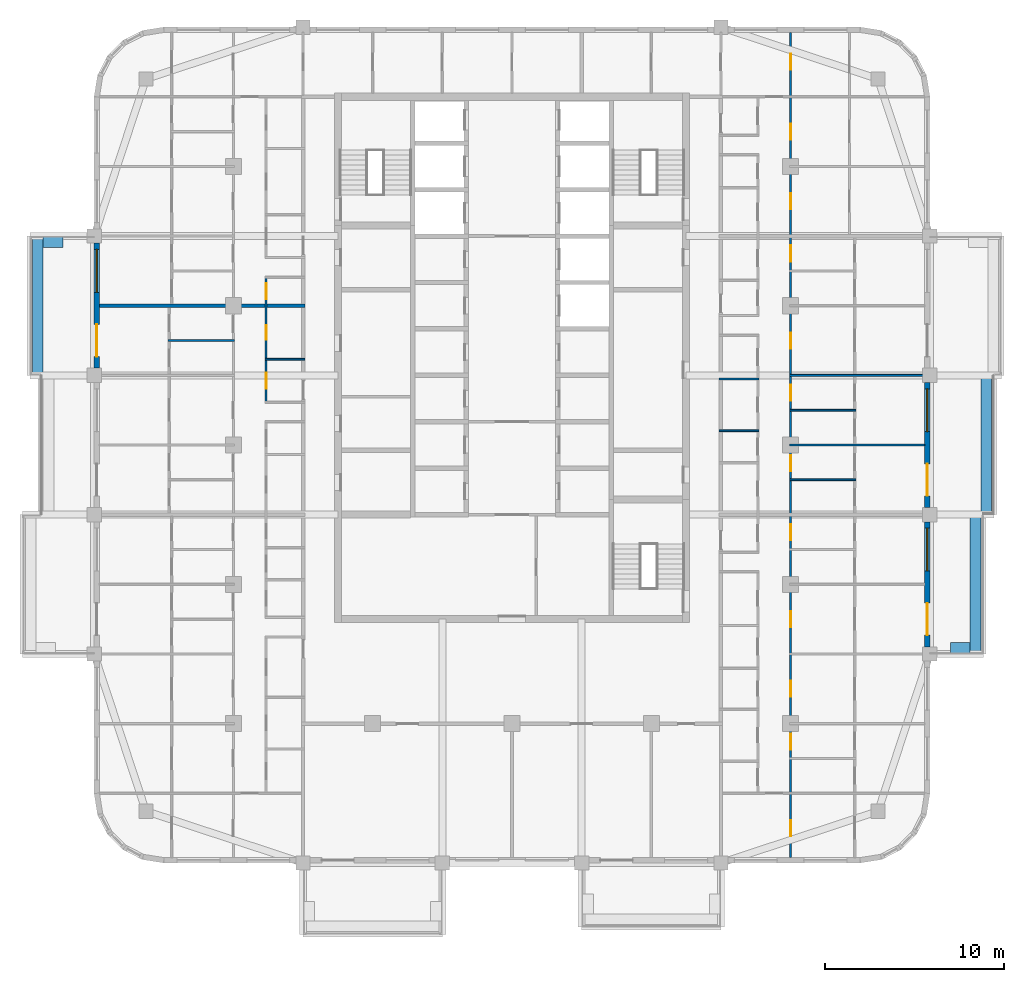
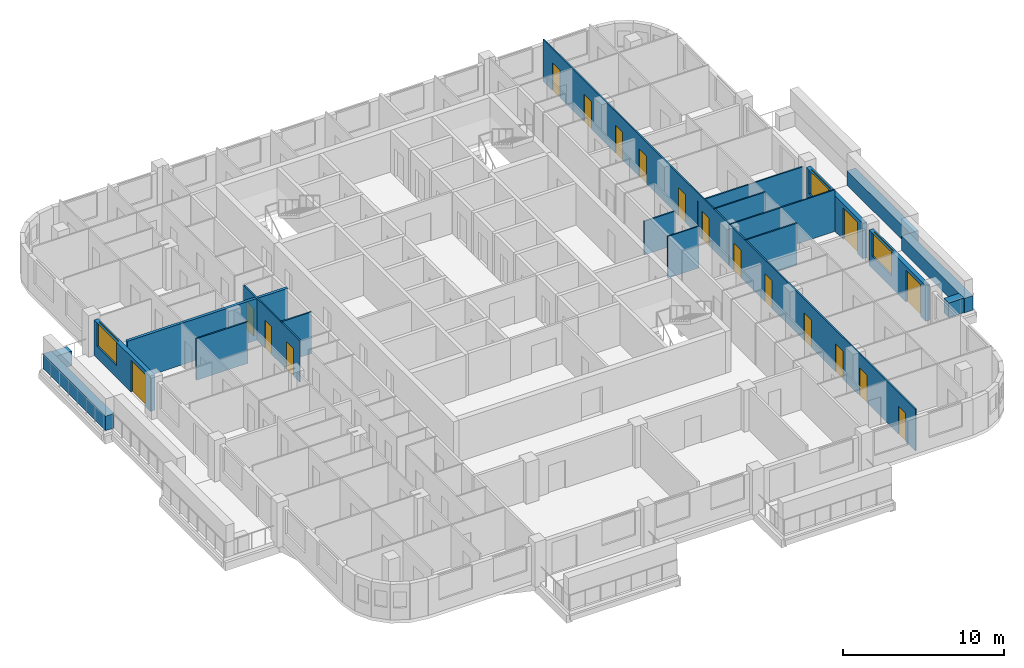
# One storey, part 8 of 16: 19 walls, 18 doors, 3 windows, 21 openings.
"""IFC4 building model written with IfcOpenShell, lengths in metres."""

from ifc_helpers import new_model, si_unit, direction, frame, frame_2d, origin, place, context, subcontext, project, spatial, rectangle, extrude, material, layer, layer_set, type_object, element, fill, save


model = new_model("IFC4")

# Units and contexts
model_context = context("Model", 3, precision=1e-05, world=origin(), true_north=direction((0.0, 1.0)))
body_context = subcontext(model_context, "Body", "Model", "MODEL_VIEW")
ifc_project = project(units=[si_unit("LENGTHUNIT", "METRE"), si_unit("AREAUNIT", "SQUARE_METRE"), si_unit("VOLUMEUNIT", "CUBIC_METRE"), si_unit("PLANEANGLEUNIT", "RADIAN"), si_unit("MASSUNIT", "GRAM", prefix="KILO")], contexts=[model_context])

# Site, building, storey
site_placement = place(None, origin())
site = spatial("IfcSite", under=ifc_project, at=site_placement, CompositionType="ELEMENT")
building_placement = place(site_placement, origin())
building = spatial("IfcBuilding", under=site, at=building_placement, Name="Ludao Terraces", CompositionType="ELEMENT")
storey_placement = place(building_placement, frame((0.0, 0.0, 224.5)))
storey = spatial("IfcBuildingStorey", under=building, at=storey_placement, Name="L61", CompositionType="ELEMENT", Elevation=224.5)

# Walls
ifc_material_1 = material(Name="Concrete C40", Category="concrete")
ifc_layer_1 = layer(ifc_material_1, 0.60009765625)
ifc_layer_set_1 = layer_set([ifc_layer_1], Name="ENV Planter trough 600")
wall_type_1 = type_object("IfcWallType", Name="ENV Planter trough 600", PredefinedType="USERDEFINED", material=ifc_layer_set_1)
wall_1_placement = place(storey_placement, frame((110.949951171875, 53.300048828125, 0.0), z_axis=(0.0, 0.0, 1.0), x_axis=(0.0, 1.0, 0.0)))
element("IfcWall", 1, at=wall_1_placement, inside=storey, type_object=wall_type_1, Name="PL-L61-E1", ObjectType="PLANTER", PredefinedType="USERDEFINED", context=body_context, shape_type="SweptSolid", body=[
    extrude(rectangle(XDim=7.800048828125, YDim=0.60009765625, at=frame_2d((3.89990234375, 0.0))), origin(), (0.0, 0.0, 1.0), 1.10009765625),
])
wall_2_placement = place(storey_placement, frame((110.64990234375, 53.64990234375, 0.0), z_axis=(0.0, 0.0, 1.0), x_axis=(-1.0, 0.0, 0.0)))
element("IfcWall", 2, at=wall_2_placement, inside=storey, type_object=wall_type_1, Name="PL-L61-E1-SA", ObjectType="PLANTER", PredefinedType="USERDEFINED", context=body_context, shape_type="SweptSolid", body=[
    extrude(rectangle(XDim=1.099853515625, YDim=0.60009765625, at=frame_2d((0.5498046875, 0.0))), origin(), (0.0, 0.0, 1.0), 1.10009765625),
])
wall_3_placement = place(storey_placement, frame((111.550048828125, 61.10009765625, 0.0), z_axis=(0.0, 0.0, 1.0), x_axis=(0.0, 1.0, 0.0)))
element("IfcWall", 3, at=wall_3_placement, inside=storey, type_object=wall_type_1, Name="PL-L61-E2", ObjectType="PLANTER", PredefinedType="USERDEFINED", context=body_context, shape_type="SweptSolid", body=[
    extrude(rectangle(XDim=7.7998046875, YDim=0.60009765625, at=frame_2d((3.89990234375, 0.0))), origin(), (0.0, 0.0, 1.0), 1.10009765625),
])
wall_4_placement = place(storey_placement, frame((58.449951171875, 68.89990234375, 0.0), z_axis=(0.0, 0.0, 1.0), x_axis=(0.0, 1.0, 0.0)))
element("IfcWall", 4, at=wall_4_placement, inside=storey, type_object=wall_type_1, Name="PL-L61-W3", ObjectType="PLANTER", PredefinedType="USERDEFINED", context=body_context, shape_type="SweptSolid", body=[
    extrude(rectangle(XDim=7.800048828125, YDim=0.60009765625, at=frame_2d((3.89990234375, 0.0))), origin(), (0.0, 0.0, 1.0), 1.10009765625),
])
wall_5_placement = place(storey_placement, frame((58.75, 76.35009765625, 0.0), z_axis=(0.0, 0.0, 1.0), x_axis=(1.0, 0.0, 0.0)))
element("IfcWall", 5, at=wall_5_placement, inside=storey, type_object=wall_type_1, Name="PL-L61-W3-SB", ObjectType="PLANTER", PredefinedType="USERDEFINED", context=body_context, shape_type="SweptSolid", body=[
    extrude(rectangle(XDim=1.10009765625, YDim=0.60009765625, at=frame_2d((0.550048828125, 0.0))), origin(), (0.0, 0.0, 1.0), 1.10009765625),
])

# Wall, openings, door, window
ifc_material_2 = material(Name="Granite cladding", Category="masonry")
ifc_layer_2 = layer(ifc_material_2, 0.0400390625, Category="stone")
ifc_material_3 = material(Name="Mineral wool")
ifc_layer_3 = layer(ifc_material_3, 0.06005859375)
ifc_layer_4 = layer(ifc_material_1, 0.199951171875, Category="concrete")
ifc_layer_set_2 = layer_set([ifc_layer_2, ifc_layer_3, ifc_layer_4], Name="ENV Stone-clad wall 300")
wall_type_2 = type_object("IfcWallType", Name="ENV Stone-clad wall 300", PredefinedType="SOLIDWALL", material=ifc_layer_set_2)
wall_6_placement = place(storey_placement, frame((108.25, 53.699951171875, 0.0), z_axis=(0.0, 0.0, 1.0), x_axis=(0.0, 1.0, 0.0)))
wall_6 = element("IfcWall", 6, at=wall_6_placement, inside=storey, type_object=wall_type_2, Name="EW-L61-E2", PredefinedType="SOLIDWALL", context=body_context, shape_type="SweptSolid", body=[
    extrude(rectangle(XDim=7.0, YDim=0.300048828125, at=frame_2d((3.5, 0.0))), origin(), (0.0, 0.0, 1.0), 2.699951171875),
])
opening_1_placement = place(wall_6_placement, frame((0.64990234375, 0.0, 0.0)))
opening_1 = element("IfcOpeningElement", 7, at=opening_1_placement, cuts=wall_6, Name="Opening BD", PredefinedType="OPENING", context=body_context, shape_type="SweptSolid", body=[
    extrude(rectangle(XDim=1.800048828125, YDim=2.39990234375, at=frame_2d((0.89990234375, 1.199951171875))), frame((0.0, 0.16015625, 0.0), z_axis=(0.0, -1.0, 0.0), x_axis=(1.0, 0.0, 0.0)), (0.0, 0.0, 1.0), 0.320068359375),
])
opening_2_placement = place(wall_6_placement, frame((4.25, 0.0, 0.89990234375)))
opening_2 = element("IfcOpeningElement", 8, at=opening_2_placement, cuts=wall_6, Name="Opening W1", PredefinedType="OPENING", context=body_context, shape_type="SweptSolid", body=[
    extrude(rectangle(XDim=2.39990234375, YDim=1.800048828125, at=frame_2d((1.199951171875, 0.89990234375))), frame((0.0, 0.16015625, 0.0), z_axis=(0.0, -1.0, 0.0), x_axis=(1.0, 0.0, 0.0)), (0.0, 0.0, 1.0), 0.320068359375),
])
ifc_material_4 = material(Name="Aluminium glazed door", Category="aluminium")
ifc_layer_5 = layer(ifc_material_4, 0.06005859375)
ifc_layer_set_3 = layer_set([ifc_layer_5], Name="ENV Balcony door BD 1800x2400")
door_type_1 = type_object("IfcDoorType", Name="ENV Balcony door BD 1800x2400", OperationType="DOUBLE_DOOR_SINGLE_SWING", PredefinedType="DOOR", material=ifc_layer_set_3)
door_1_placement = place(opening_1_placement, origin())
door_1 = element("IfcDoor", 9, at=door_1_placement, inside=storey, type_object=door_type_1, Name="BD-L61-E2-1", OperationType="DOUBLE_DOOR_SINGLE_SWING", OverallHeight=2.39990234375, OverallWidth=1.800048828125, PredefinedType="DOOR", context=body_context, shape_type="SweptSolid", body=[
    extrude(rectangle(XDim=1.800048828125, YDim=2.39990234375, at=frame_2d((0.89990234375, 1.199951171875))), frame((0.0, 0.02490234375, 0.0), z_axis=(0.0, -1.0, 0.0), x_axis=(1.0, 0.0, 0.0)), (0.0, 0.0, 1.0), 0.050048828125),
])
fill(opening_1, door_1)
ifc_material_5 = material(Name="Clear glass in aluminium frame", Category="aluminium")
ifc_layer_6 = layer(ifc_material_5, 0.06005859375)
ifc_layer_set_4 = layer_set([ifc_layer_6], Name="ENV Window W1 2400x1800")
window_type = type_object("IfcWindowType", Name="ENV Window W1 2400x1800", PartitioningType="DOUBLE_PANEL_VERTICAL", PredefinedType="WINDOW", material=ifc_layer_set_4)
window_1_placement = place(opening_2_placement, origin())
window_1 = element("IfcWindow", 10, at=window_1_placement, inside=storey, type_object=window_type, Name="W-L61-E2-2", OverallHeight=1.800048828125, OverallWidth=2.39990234375, PartitioningType="DOUBLE_PANEL_VERTICAL", PredefinedType="WINDOW", context=body_context, shape_type="SweptSolid", body=[
    extrude(rectangle(XDim=2.39990234375, YDim=1.800048828125, at=frame_2d((1.199951171875, 0.89990234375))), frame((0.0, 0.030029296875, 0.0), z_axis=(0.0, -1.0, 0.0), x_axis=(1.0, 0.0, 0.0)), (0.0, 0.0, 1.0), 0.06005859375),
])
fill(opening_2, window_1)

wall_7_placement = place(storey_placement, frame((108.25, 61.5, 0.0), z_axis=(0.0, 0.0, 1.0), x_axis=(0.0, 1.0, 0.0)))
wall_7 = element("IfcWall", 11, at=wall_7_placement, inside=storey, type_object=wall_type_2, Name="EW-L61-E3", PredefinedType="SOLIDWALL", context=body_context, shape_type="SweptSolid", body=[
    extrude(rectangle(XDim=7.0, YDim=0.300048828125, at=frame_2d((3.5, 0.0))), origin(), (0.0, 0.0, 1.0), 2.699951171875),
])
opening_3_placement = place(wall_7_placement, frame((0.64990234375, 0.0, 0.0)))
opening_3 = element("IfcOpeningElement", 12, at=opening_3_placement, cuts=wall_7, Name="Opening BD", PredefinedType="OPENING", context=body_context, shape_type="SweptSolid", body=[
    extrude(rectangle(XDim=1.800048828125, YDim=2.39990234375, at=frame_2d((0.89990234375, 1.199951171875))), frame((0.0, 0.16015625, 0.0), z_axis=(0.0, -1.0, 0.0), x_axis=(1.0, 0.0, 0.0)), (0.0, 0.0, 1.0), 0.320068359375),
])
opening_4_placement = place(wall_7_placement, frame((4.25, 0.0, 0.89990234375)))
opening_4 = element("IfcOpeningElement", 13, at=opening_4_placement, cuts=wall_7, Name="Opening W1", PredefinedType="OPENING", context=body_context, shape_type="SweptSolid", body=[
    extrude(rectangle(XDim=2.39990234375, YDim=1.800048828125, at=frame_2d((1.199951171875, 0.89990234375))), frame((0.0, 0.16015625, 0.0), z_axis=(0.0, -1.0, 0.0), x_axis=(1.0, 0.0, 0.0)), (0.0, 0.0, 1.0), 0.320068359375),
])
door_2_placement = place(opening_3_placement, origin())
door_2 = element("IfcDoor", 14, at=door_2_placement, inside=storey, type_object=door_type_1, Name="BD-L61-E3-1", OperationType="DOUBLE_DOOR_SINGLE_SWING", OverallHeight=2.39990234375, OverallWidth=1.800048828125, PredefinedType="DOOR", context=body_context, shape_type="SweptSolid", body=[
    extrude(rectangle(XDim=1.800048828125, YDim=2.39990234375, at=frame_2d((0.89990234375, 1.199951171875))), frame((0.0, 0.02490234375, 0.0), z_axis=(0.0, -1.0, 0.0), x_axis=(1.0, 0.0, 0.0)), (0.0, 0.0, 1.0), 0.050048828125),
])
fill(opening_3, door_2)
window_2_placement = place(opening_4_placement, origin())
window_2 = element("IfcWindow", 15, at=window_2_placement, inside=storey, type_object=window_type, Name="W-L61-E3-2", OverallHeight=1.800048828125, OverallWidth=2.39990234375, PartitioningType="DOUBLE_PANEL_VERTICAL", PredefinedType="WINDOW", context=body_context, shape_type="SweptSolid", body=[
    extrude(rectangle(XDim=2.39990234375, YDim=1.800048828125, at=frame_2d((1.199951171875, 0.89990234375))), frame((0.0, 0.030029296875, 0.0), z_axis=(0.0, -1.0, 0.0), x_axis=(1.0, 0.0, 0.0)), (0.0, 0.0, 1.0), 0.06005859375),
])
fill(opening_4, window_2)

wall_8_placement = place(storey_placement, frame((61.75, 69.300048828125, 0.0), z_axis=(0.0, 0.0, 1.0), x_axis=(0.0, 1.0, 0.0)))
wall_8 = element("IfcWall", 16, at=wall_8_placement, inside=storey, type_object=wall_type_2, Name="EW-L61-W4", PredefinedType="SOLIDWALL", context=body_context, shape_type="SweptSolid", body=[
    extrude(rectangle(XDim=7.0, YDim=0.300048828125, at=frame_2d((3.5, 0.0))), origin(), (0.0, 0.0, 1.0), 2.699951171875),
])
opening_5_placement = place(wall_8_placement, frame((0.64990234375, 0.0, 0.0)))
opening_5 = element("IfcOpeningElement", 17, at=opening_5_placement, cuts=wall_8, Name="Opening BD", PredefinedType="OPENING", context=body_context, shape_type="SweptSolid", body=[
    extrude(rectangle(XDim=1.800048828125, YDim=2.39990234375, at=frame_2d((0.89990234375, 1.199951171875))), frame((0.0, 0.16015625, 0.0), z_axis=(0.0, -1.0, 0.0), x_axis=(1.0, 0.0, 0.0)), (0.0, 0.0, 1.0), 0.320068359375),
])
opening_6_placement = place(wall_8_placement, frame((4.25, 0.0, 0.89990234375)))
opening_6 = element("IfcOpeningElement", 18, at=opening_6_placement, cuts=wall_8, Name="Opening W1", PredefinedType="OPENING", context=body_context, shape_type="SweptSolid", body=[
    extrude(rectangle(XDim=2.39990234375, YDim=1.800048828125, at=frame_2d((1.199951171875, 0.89990234375))), frame((0.0, 0.16015625, 0.0), z_axis=(0.0, -1.0, 0.0), x_axis=(1.0, 0.0, 0.0)), (0.0, 0.0, 1.0), 0.320068359375),
])
door_3_placement = place(opening_5_placement, origin())
door_3 = element("IfcDoor", 19, at=door_3_placement, inside=storey, type_object=door_type_1, Name="BD-L61-W4-1", OperationType="DOUBLE_DOOR_SINGLE_SWING", OverallHeight=2.39990234375, OverallWidth=1.800048828125, PredefinedType="DOOR", context=body_context, shape_type="SweptSolid", body=[
    extrude(rectangle(XDim=1.800048828125, YDim=2.39990234375, at=frame_2d((0.89990234375, 1.199951171875))), frame((0.0, 0.02490234375, 0.0), z_axis=(0.0, -1.0, 0.0), x_axis=(1.0, 0.0, 0.0)), (0.0, 0.0, 1.0), 0.050048828125),
])
fill(opening_5, door_3)
window_3_placement = place(opening_6_placement, origin())
window_3 = element("IfcWindow", 20, at=window_3_placement, inside=storey, type_object=window_type, Name="W-L61-W4-2", OverallHeight=1.800048828125, OverallWidth=2.39990234375, PartitioningType="DOUBLE_PANEL_VERTICAL", PredefinedType="WINDOW", context=body_context, shape_type="SweptSolid", body=[
    extrude(rectangle(XDim=2.39990234375, YDim=1.800048828125, at=frame_2d((1.199951171875, 0.89990234375))), frame((0.0, 0.030029296875, 0.0), z_axis=(0.0, -1.0, 0.0), x_axis=(1.0, 0.0, 0.0)), (0.0, 0.0, 1.0), 0.06005859375),
])
fill(opening_6, window_3)

# Walls
ifc_material_6 = material(Name="Gypsum plasterboard", Category="gypsum")
ifc_layer_7 = layer(ifc_material_6, 0.012451171875, Category="gypsum")
ifc_layer_8 = layer(ifc_material_3, 0.06005859375, Name="insulation")
ifc_material_7 = material(Name="Steel Q235", Category="steel")
ifc_layer_9 = layer(ifc_material_7, 0.014892578125, Name="stud")
ifc_layer_10 = layer(ifc_material_6, 0.012451171875, Category="gypsum")
ifc_layer_set_5 = layer_set([ifc_layer_7, ifc_layer_8, ifc_layer_9, ifc_layer_10], Name="INT Partition 100")
wall_type_3 = type_object("IfcWallType", Name="INT Partition 100", PredefinedType="PARTITIONING", material=ifc_layer_set_5)
wall_9_placement = place(storey_placement, frame((100.550048828125, 63.050048828125, 0.0), z_axis=(0.0, 0.0, 1.0), x_axis=(1.0, 0.0, 0.0)))
element("IfcWall", 21, at=wall_9_placement, inside=storey, type_object=wall_type_3, Name="PW-L61-PW029", PredefinedType="PARTITIONING", context=body_context, shape_type="SweptSolid", body=[
    extrude(rectangle(XDim=3.699951171875, YDim=0.10009765625, at=frame_2d((1.85009765625, 0.0))), origin(), (0.0, 0.0, 1.0), 3.14990234375),
])
wall_10_placement = place(storey_placement, frame((100.550048828125, 65.0, 0.0), z_axis=(0.0, 0.0, 1.0), x_axis=(1.0, 0.0, 0.0)))
element("IfcWall", 22, at=wall_10_placement, inside=storey, type_object=wall_type_3, Name="PW-L61-PW033", PredefinedType="PARTITIONING", context=body_context, shape_type="SweptSolid", body=[
    extrude(rectangle(XDim=7.550048828125, YDim=0.10009765625, at=frame_2d((3.77490234375, 0.0))), origin(), (0.0, 0.0, 1.0), 3.14990234375),
])
wall_11_placement = place(storey_placement, frame((96.60009765625, 65.800048828125, 0.0), z_axis=(0.0, 0.0, 1.0), x_axis=(1.0, 0.0, 0.0)))
element("IfcWall", 23, at=wall_11_placement, inside=storey, type_object=wall_type_3, Name="PW-L61-PW034", PredefinedType="PARTITIONING", context=body_context, shape_type="SweptSolid", body=[
    extrude(rectangle(XDim=2.219970703125, YDim=0.10009765625, at=frame_2d((1.10986328125, 0.0))), origin(), (0.0, 0.0, 1.0), 3.14990234375),
])
wall_12_placement = place(storey_placement, frame((100.550048828125, 66.949951171875, 0.0), z_axis=(0.0, 0.0, 1.0), x_axis=(1.0, 0.0, 0.0)))
element("IfcWall", 24, at=wall_12_placement, inside=storey, type_object=wall_type_3, Name="PW-L61-PW037", PredefinedType="PARTITIONING", context=body_context, shape_type="SweptSolid", body=[
    extrude(rectangle(XDim=3.699951171875, YDim=0.10009765625, at=frame_2d((1.85009765625, 0.0))), origin(), (0.0, 0.0, 1.0), 3.14990234375),
])
wall_13_placement = place(storey_placement, frame((96.60009765625, 68.699951171875, 0.0), z_axis=(0.0, 0.0, 1.0), x_axis=(1.0, 0.0, 0.0)))
element("IfcWall", 25, at=wall_13_placement, inside=storey, type_object=wall_type_3, Name="PW-L61-PW040", PredefinedType="PARTITIONING", context=body_context, shape_type="SweptSolid", body=[
    extrude(rectangle(XDim=2.219970703125, YDim=0.10009765625, at=frame_2d((1.10986328125, 0.0))), origin(), (0.0, 0.0, 1.0), 2.550048828125),
])
wall_14_placement = place(storey_placement, frame((100.550048828125, 68.89990234375, 0.0), z_axis=(0.0, 0.0, 1.0), x_axis=(1.0, 0.0, 0.0)))
element("IfcWall", 26, at=wall_14_placement, inside=storey, type_object=wall_type_3, Name="PW-L61-PW042", PredefinedType="PARTITIONING", context=body_context, shape_type="SweptSolid", body=[
    extrude(rectangle(XDim=7.550048828125, YDim=0.10009765625, at=frame_2d((3.77490234375, 0.0))), origin(), (0.0, 0.0, 1.0), 2.550048828125),
])
wall_15_placement = place(storey_placement, frame((71.18017578125, 69.800048828125, 0.0), z_axis=(0.0, 0.0, 1.0), x_axis=(1.0, 0.0, 0.0)))
element("IfcWall", 27, at=wall_15_placement, inside=storey, type_object=wall_type_3, Name="PW-L61-PW043", PredefinedType="PARTITIONING", context=body_context, shape_type="SweptSolid", body=[
    extrude(rectangle(XDim=2.219970703125, YDim=0.10009765625, at=frame_2d((1.10986328125, 0.0))), origin(), (0.0, 0.0, 1.0), 3.14990234375),
])
wall_16_placement = place(storey_placement, frame((65.75, 70.85009765625, 0.0), z_axis=(0.0, 0.0, 1.0), x_axis=(1.0, 0.0, 0.0)))
element("IfcWall", 28, at=wall_16_placement, inside=storey, type_object=wall_type_3, Name="PW-L61-PW044", PredefinedType="PARTITIONING", context=body_context, shape_type="SweptSolid", body=[
    extrude(rectangle(XDim=3.7001953125, YDim=0.10009765625, at=frame_2d((1.85009765625, 0.0))), origin(), (0.0, 0.0, 1.0), 3.14990234375),
])

# Wall, openings, doors
wall_17_placement = place(storey_placement, frame((71.22998046875, 67.4501953125, 0.0), z_axis=(0.0, 0.0, 1.0), x_axis=(0.0, 1.0, 0.0)))
wall_17 = element("IfcWall", 29, at=wall_17_placement, inside=storey, type_object=wall_type_3, Name="PW-L61-PW075", PredefinedType="PARTITIONING", context=body_context, shape_type="SweptSolid", body=[
    extrude(rectangle(XDim=6.89990234375, YDim=0.10009765625, at=frame_2d((3.449951171875, 0.0))), origin(), (0.0, 0.0, 1.0), 3.14990234375),
])
opening_7_placement = place(wall_17_placement, frame((0.699951171875, 0.0, 0.0)))
opening_7 = element("IfcOpeningElement", 30, at=opening_7_placement, cuts=wall_17, Name="Opening R22-075", PredefinedType="OPENING", context=body_context, shape_type="SweptSolid", body=[
    extrude(rectangle(XDim=0.89990234375, YDim=2.10009765625, at=frame_2d((0.449951171875, 1.050048828125))), frame((0.0, 0.06005859375, 0.0), z_axis=(0.0, -1.0, 0.0), x_axis=(1.0, 0.0, 0.0)), (0.0, 0.0, 1.0), 0.1201171875),
])
opening_8_placement = place(wall_17_placement, frame((3.449951171875, 0.0, 0.0)))
opening_8 = element("IfcOpeningElement", 31, at=opening_8_placement, cuts=wall_17, Name="Opening R22-084", PredefinedType="OPENING", context=body_context, shape_type="SweptSolid", body=[
    extrude(rectangle(XDim=0.800048828125, YDim=2.10009765625, at=frame_2d((0.39990234375, 1.050048828125))), frame((0.0, 0.06005859375, 0.0), z_axis=(0.0, -1.0, 0.0), x_axis=(1.0, 0.0, 0.0)), (0.0, 0.0, 1.0), 0.1201171875),
])
opening_9_placement = place(wall_17_placement, frame((5.699951171875, 0.0, 0.0)))
opening_9 = element("IfcOpeningElement", 32, at=opening_9_placement, cuts=wall_17, Name="Opening R22-091", PredefinedType="OPENING", context=body_context, shape_type="SweptSolid", body=[
    extrude(rectangle(XDim=0.89990234375, YDim=2.10009765625, at=frame_2d((0.449951171875, 1.050048828125))), frame((0.0, 0.06005859375, 0.0), z_axis=(0.0, -1.0, 0.0), x_axis=(1.0, 0.0, 0.0)), (0.0, 0.0, 1.0), 0.1201171875),
])
ifc_material_8 = material(Name="Timber door leaf", Category="wood")
door_type_2 = type_object("IfcDoorType", Name="INT Bathroom door 900", OperationType="SINGLE_SWING_LEFT", PredefinedType="DOOR", material=ifc_material_8)
door_4_placement = place(opening_7_placement, origin())
door_4 = element("IfcDoor", 33, at=door_4_placement, inside=storey, type_object=door_type_2, Name="DOOR 075", OperationType="SINGLE_SWING_LEFT", OverallHeight=2.10009765625, OverallWidth=0.89990234375, PredefinedType="DOOR", context=body_context, shape_type="SweptSolid", body=[
    extrude(rectangle(XDim=0.89990234375, YDim=2.10009765625, at=frame_2d((0.449951171875, 1.050048828125))), frame((0.0, 0.02490234375, 0.0), z_axis=(0.0, -1.0, 0.0), x_axis=(1.0, 0.0, 0.0)), (0.0, 0.0, 1.0), 0.050048828125),
])
fill(opening_7, door_4)
door_5_placement = place(opening_9_placement, origin())
door_5 = element("IfcDoor", 34, at=door_5_placement, inside=storey, type_object=door_type_2, Name="DOOR 091", OperationType="SINGLE_SWING_RIGHT", OverallHeight=2.10009765625, OverallWidth=0.89990234375, PredefinedType="DOOR", context=body_context, shape_type="SweptSolid", body=[
    extrude(rectangle(XDim=0.89990234375, YDim=2.10009765625, at=frame_2d((0.449951171875, 1.050048828125))), frame((0.0, 0.02490234375, 0.0), z_axis=(0.0, -1.0, 0.0), x_axis=(1.0, 0.0, 0.0)), (0.0, 0.0, 1.0), 0.050048828125),
])
fill(opening_9, door_5)
door_type_3 = type_object("IfcDoorType", Name="INT Store door 800", OperationType="SINGLE_SWING_LEFT", PredefinedType="DOOR", material=ifc_material_8)
door_6_placement = place(opening_8_placement, origin())
door_6 = element("IfcDoor", 35, at=door_6_placement, inside=storey, type_object=door_type_3, Name="DOOR 084", OperationType="SINGLE_SWING_RIGHT", OverallHeight=2.10009765625, OverallWidth=0.800048828125, PredefinedType="DOOR", context=body_context, shape_type="SweptSolid", body=[
    extrude(rectangle(XDim=0.800048828125, YDim=2.10009765625, at=frame_2d((0.39990234375, 1.050048828125))), frame((0.0, 0.02490234375, 0.0), z_axis=(0.0, -1.0, 0.0), x_axis=(1.0, 0.0, 0.0)), (0.0, 0.0, 1.0), 0.050048828125),
])
fill(opening_8, door_6)

wall_18_placement = place(storey_placement, frame((100.60009765625, 41.900146484375, 0.0), z_axis=(0.0, 0.0, 1.0), x_axis=(0.0, 1.0, 0.0)))
wall_18 = element("IfcWall", 36, at=wall_18_placement, inside=storey, type_object=wall_type_3, Name="PW-L61-PW095", PredefinedType="PARTITIONING", context=body_context, shape_type="SweptSolid", body=[
    extrude(rectangle(XDim=46.199951171875, YDim=0.10009765625, at=frame_2d((23.10009765625, 0.0))), origin(), (0.0, 0.0, 1.0), 3.14990234375),
])
opening_10_placement = place(wall_18_placement, frame((1.199951171875, 0.0, 0.0)))
opening_10 = element("IfcOpeningElement", 37, at=opening_10_placement, cuts=wall_18, Name="Opening R22-003", PredefinedType="OPENING", context=body_context, shape_type="SweptSolid", body=[
    extrude(rectangle(XDim=0.89990234375, YDim=2.10009765625, at=frame_2d((0.449951171875, 1.050048828125))), frame((0.0, 0.06005859375, 0.0), z_axis=(0.0, -1.0, 0.0), x_axis=(1.0, 0.0, 0.0)), (0.0, 0.0, 1.0), 0.1201171875),
])
opening_11_placement = place(wall_18_placement, frame((6.02490234375, 0.0, 0.0)))
opening_11 = element("IfcOpeningElement", 38, at=opening_11_placement, cuts=wall_18, Name="Opening R22-012", PredefinedType="OPENING", context=body_context, shape_type="SweptSolid", body=[
    extrude(rectangle(XDim=0.89990234375, YDim=2.10009765625, at=frame_2d((0.449951171875, 1.050048828125))), frame((0.0, 0.06005859375, 0.0), z_axis=(0.0, -1.0, 0.0), x_axis=(1.0, 0.0, 0.0)), (0.0, 0.0, 1.0), 0.1201171875),
])
opening_12_placement = place(wall_18_placement, frame((9.0, 0.0, 0.0)))
opening_12 = element("IfcOpeningElement", 39, at=opening_12_placement, cuts=wall_18, Name="Opening R22-022", PredefinedType="OPENING", context=body_context, shape_type="SweptSolid", body=[
    extrude(rectangle(XDim=0.89990234375, YDim=2.10009765625, at=frame_2d((0.449951171875, 1.050048828125))), frame((0.0, 0.06005859375, 0.0), z_axis=(0.0, -1.0, 0.0), x_axis=(1.0, 0.0, 0.0)), (0.0, 0.0, 1.0), 0.1201171875),
])
opening_13_placement = place(wall_18_placement, frame((12.89990234375, 0.0, 0.0)))
opening_13 = element("IfcOpeningElement", 40, at=opening_13_placement, cuts=wall_18, Name="Opening R22-029", PredefinedType="OPENING", context=body_context, shape_type="SweptSolid", body=[
    extrude(rectangle(XDim=0.89990234375, YDim=2.10009765625, at=frame_2d((0.449951171875, 1.050048828125))), frame((0.0, 0.06005859375, 0.0), z_axis=(0.0, -1.0, 0.0), x_axis=(1.0, 0.0, 0.0)), (0.0, 0.0, 1.0), 0.1201171875),
])
opening_14_placement = place(wall_18_placement, frame((17.77490234375, 0.0, 0.0)))
opening_14 = element("IfcOpeningElement", 41, at=opening_14_placement, cuts=wall_18, Name="Opening R22-044", PredefinedType="OPENING", context=body_context, shape_type="SweptSolid", body=[
    extrude(rectangle(XDim=0.89990234375, YDim=2.10009765625, at=frame_2d((0.449951171875, 1.050048828125))), frame((0.0, 0.06005859375, 0.0), z_axis=(0.0, -1.0, 0.0), x_axis=(1.0, 0.0, 0.0)), (0.0, 0.0, 1.0), 0.1201171875),
])
opening_15_placement = place(wall_18_placement, frame((21.625, 0.0, 0.0)))
opening_15 = element("IfcOpeningElement", 42, at=opening_15_placement, cuts=wall_18, Name="Opening R22-057", PredefinedType="OPENING", context=body_context, shape_type="SweptSolid", body=[
    extrude(rectangle(XDim=0.89990234375, YDim=2.10009765625, at=frame_2d((0.449951171875, 1.050048828125))), frame((0.0, 0.06005859375, 0.0), z_axis=(0.0, -1.0, 0.0), x_axis=(1.0, 0.0, 0.0)), (0.0, 0.0, 1.0), 0.1201171875),
])
opening_16_placement = place(wall_18_placement, frame((25.574951171875, 0.0, 0.0)))
opening_16 = element("IfcOpeningElement", 43, at=opening_16_placement, cuts=wall_18, Name="Opening R22-072", PredefinedType="OPENING", context=body_context, shape_type="SweptSolid", body=[
    extrude(rectangle(XDim=0.89990234375, YDim=2.10009765625, at=frame_2d((0.449951171875, 1.050048828125))), frame((0.0, 0.06005859375, 0.0), z_axis=(0.0, -1.0, 0.0), x_axis=(1.0, 0.0, 0.0)), (0.0, 0.0, 1.0), 0.1201171875),
])
opening_17_placement = place(wall_18_placement, frame((28.5, 0.0, 0.0)))
opening_17 = element("IfcOpeningElement", 44, at=opening_17_placement, cuts=wall_18, Name="Opening R22-082", PredefinedType="OPENING", context=body_context, shape_type="SweptSolid", body=[
    extrude(rectangle(XDim=0.89990234375, YDim=2.10009765625, at=frame_2d((0.449951171875, 1.050048828125))), frame((0.0, 0.06005859375, 0.0), z_axis=(0.0, -1.0, 0.0), x_axis=(1.0, 0.0, 0.0)), (0.0, 0.0, 1.0), 0.1201171875),
])
opening_18_placement = place(wall_18_placement, frame((33.375, 0.0, 0.0)))
opening_18 = element("IfcOpeningElement", 45, at=opening_18_placement, cuts=wall_18, Name="Opening R22-101", PredefinedType="OPENING", context=body_context, shape_type="SweptSolid", body=[
    extrude(rectangle(XDim=0.89990234375, YDim=2.10009765625, at=frame_2d((0.449951171875, 1.050048828125))), frame((0.0, 0.06005859375, 0.0), z_axis=(0.0, -1.0, 0.0), x_axis=(1.0, 0.0, 0.0)), (0.0, 0.0, 1.0), 0.1201171875),
])
opening_19_placement = place(wall_18_placement, frame((36.300048828125, 0.0, 0.0)))
opening_19 = element("IfcOpeningElement", 46, at=opening_19_placement, cuts=wall_18, Name="Opening R22-113", PredefinedType="OPENING", context=body_context, shape_type="SweptSolid", body=[
    extrude(rectangle(XDim=0.89990234375, YDim=2.10009765625, at=frame_2d((0.449951171875, 1.050048828125))), frame((0.0, 0.06005859375, 0.0), z_axis=(0.0, -1.0, 0.0), x_axis=(1.0, 0.0, 0.0)), (0.0, 0.0, 1.0), 0.1201171875),
])
opening_20_placement = place(wall_18_placement, frame((40.199951171875, 0.0, 0.0)))
opening_20 = element("IfcOpeningElement", 47, at=opening_20_placement, cuts=wall_18, Name="Opening R22-120", PredefinedType="OPENING", context=body_context, shape_type="SweptSolid", body=[
    extrude(rectangle(XDim=0.89990234375, YDim=2.10009765625, at=frame_2d((0.449951171875, 1.050048828125))), frame((0.0, 0.06005859375, 0.0), z_axis=(0.0, -1.0, 0.0), x_axis=(1.0, 0.0, 0.0)), (0.0, 0.0, 1.0), 0.1201171875),
])
opening_21_placement = place(wall_18_placement, frame((44.10009765625, 0.0, 0.0)))
opening_21 = element("IfcOpeningElement", 48, at=opening_21_placement, cuts=wall_18, Name="Opening R22-139", PredefinedType="OPENING", context=body_context, shape_type="SweptSolid", body=[
    extrude(rectangle(XDim=0.89990234375, YDim=2.10009765625, at=frame_2d((0.449951171875, 1.050048828125))), frame((0.0, 0.06005859375, 0.0), z_axis=(0.0, -1.0, 0.0), x_axis=(1.0, 0.0, 0.0)), (0.0, 0.0, 1.0), 0.1201171875),
])
door_type_4 = type_object("IfcDoorType", Name="INT Room door 900", OperationType="SINGLE_SWING_LEFT", PredefinedType="DOOR", material=ifc_material_8)
door_7_placement = place(opening_10_placement, origin())
door_7 = element("IfcDoor", 49, at=door_7_placement, inside=storey, type_object=door_type_4, Name="DOOR 003", OperationType="SINGLE_SWING_RIGHT", OverallHeight=2.10009765625, OverallWidth=0.89990234375, PredefinedType="DOOR", context=body_context, shape_type="SweptSolid", body=[
    extrude(rectangle(XDim=0.89990234375, YDim=2.10009765625, at=frame_2d((0.449951171875, 1.050048828125))), frame((0.0, 0.02490234375, 0.0), z_axis=(0.0, -1.0, 0.0), x_axis=(1.0, 0.0, 0.0)), (0.0, 0.0, 1.0), 0.050048828125),
])
fill(opening_10, door_7)
door_8_placement = place(opening_11_placement, origin())
door_8 = element("IfcDoor", 50, at=door_8_placement, inside=storey, type_object=door_type_4, Name="DOOR 012", OperationType="SINGLE_SWING_RIGHT", OverallHeight=2.10009765625, OverallWidth=0.89990234375, PredefinedType="DOOR", context=body_context, shape_type="SweptSolid", body=[
    extrude(rectangle(XDim=0.89990234375, YDim=2.10009765625, at=frame_2d((0.449951171875, 1.050048828125))), frame((0.0, 0.02490234375, 0.0), z_axis=(0.0, -1.0, 0.0), x_axis=(1.0, 0.0, 0.0)), (0.0, 0.0, 1.0), 0.050048828125),
])
fill(opening_11, door_8)
door_9_placement = place(opening_12_placement, origin())
door_9 = element("IfcDoor", 51, at=door_9_placement, inside=storey, type_object=door_type_4, Name="DOOR 022", OperationType="SINGLE_SWING_RIGHT", OverallHeight=2.10009765625, OverallWidth=0.89990234375, PredefinedType="DOOR", context=body_context, shape_type="SweptSolid", body=[
    extrude(rectangle(XDim=0.89990234375, YDim=2.10009765625, at=frame_2d((0.449951171875, 1.050048828125))), frame((0.0, 0.02490234375, 0.0), z_axis=(0.0, -1.0, 0.0), x_axis=(1.0, 0.0, 0.0)), (0.0, 0.0, 1.0), 0.050048828125),
])
fill(opening_12, door_9)
door_10_placement = place(opening_13_placement, origin())
door_10 = element("IfcDoor", 52, at=door_10_placement, inside=storey, type_object=door_type_4, Name="DOOR 029", OperationType="SINGLE_SWING_RIGHT", OverallHeight=2.10009765625, OverallWidth=0.89990234375, PredefinedType="DOOR", context=body_context, shape_type="SweptSolid", body=[
    extrude(rectangle(XDim=0.89990234375, YDim=2.10009765625, at=frame_2d((0.449951171875, 1.050048828125))), frame((0.0, 0.02490234375, 0.0), z_axis=(0.0, -1.0, 0.0), x_axis=(1.0, 0.0, 0.0)), (0.0, 0.0, 1.0), 0.050048828125),
])
fill(opening_13, door_10)
door_11_placement = place(opening_14_placement, origin())
door_11 = element("IfcDoor", 53, at=door_11_placement, inside=storey, type_object=door_type_4, Name="DOOR 044", OperationType="SINGLE_SWING_LEFT", OverallHeight=2.10009765625, OverallWidth=0.89990234375, PredefinedType="DOOR", context=body_context, shape_type="SweptSolid", body=[
    extrude(rectangle(XDim=0.89990234375, YDim=2.10009765625, at=frame_2d((0.449951171875, 1.050048828125))), frame((0.0, 0.02490234375, 0.0), z_axis=(0.0, -1.0, 0.0), x_axis=(1.0, 0.0, 0.0)), (0.0, 0.0, 1.0), 0.050048828125),
])
fill(opening_14, door_11)
door_12_placement = place(opening_15_placement, origin())
door_12 = element("IfcDoor", 54, at=door_12_placement, inside=storey, type_object=door_type_4, Name="DOOR 057", OperationType="SINGLE_SWING_RIGHT", OverallHeight=2.10009765625, OverallWidth=0.89990234375, PredefinedType="DOOR", context=body_context, shape_type="SweptSolid", body=[
    extrude(rectangle(XDim=0.89990234375, YDim=2.10009765625, at=frame_2d((0.449951171875, 1.050048828125))), frame((0.0, 0.02490234375, 0.0), z_axis=(0.0, -1.0, 0.0), x_axis=(1.0, 0.0, 0.0)), (0.0, 0.0, 1.0), 0.050048828125),
])
fill(opening_15, door_12)
door_13_placement = place(opening_16_placement, origin())
door_13 = element("IfcDoor", 55, at=door_13_placement, inside=storey, type_object=door_type_4, Name="DOOR 072", OperationType="SINGLE_SWING_RIGHT", OverallHeight=2.10009765625, OverallWidth=0.89990234375, PredefinedType="DOOR", context=body_context, shape_type="SweptSolid", body=[
    extrude(rectangle(XDim=0.89990234375, YDim=2.10009765625, at=frame_2d((0.449951171875, 1.050048828125))), frame((0.0, 0.02490234375, 0.0), z_axis=(0.0, -1.0, 0.0), x_axis=(1.0, 0.0, 0.0)), (0.0, 0.0, 1.0), 0.050048828125),
])
fill(opening_16, door_13)
door_14_placement = place(opening_17_placement, origin())
door_14 = element("IfcDoor", 56, at=door_14_placement, inside=storey, type_object=door_type_4, Name="DOOR 082", OperationType="SINGLE_SWING_LEFT", OverallHeight=2.10009765625, OverallWidth=0.89990234375, PredefinedType="DOOR", context=body_context, shape_type="SweptSolid", body=[
    extrude(rectangle(XDim=0.89990234375, YDim=2.10009765625, at=frame_2d((0.449951171875, 1.050048828125))), frame((0.0, 0.02490234375, 0.0), z_axis=(0.0, -1.0, 0.0), x_axis=(1.0, 0.0, 0.0)), (0.0, 0.0, 1.0), 0.050048828125),
])
fill(opening_17, door_14)
door_15_placement = place(opening_18_placement, origin())
door_15 = element("IfcDoor", 57, at=door_15_placement, inside=storey, type_object=door_type_4, Name="DOOR 101", OperationType="SINGLE_SWING_RIGHT", OverallHeight=2.10009765625, OverallWidth=0.89990234375, PredefinedType="DOOR", context=body_context, shape_type="SweptSolid", body=[
    extrude(rectangle(XDim=0.89990234375, YDim=2.10009765625, at=frame_2d((0.449951171875, 1.050048828125))), frame((0.0, 0.02490234375, 0.0), z_axis=(0.0, -1.0, 0.0), x_axis=(1.0, 0.0, 0.0)), (0.0, 0.0, 1.0), 0.050048828125),
])
fill(opening_18, door_15)
door_16_placement = place(opening_19_placement, origin())
door_16 = element("IfcDoor", 58, at=door_16_placement, inside=storey, type_object=door_type_4, Name="DOOR 113", OperationType="SINGLE_SWING_RIGHT", OverallHeight=2.10009765625, OverallWidth=0.89990234375, PredefinedType="DOOR", context=body_context, shape_type="SweptSolid", body=[
    extrude(rectangle(XDim=0.89990234375, YDim=2.10009765625, at=frame_2d((0.449951171875, 1.050048828125))), frame((0.0, 0.02490234375, 0.0), z_axis=(0.0, -1.0, 0.0), x_axis=(1.0, 0.0, 0.0)), (0.0, 0.0, 1.0), 0.050048828125),
])
fill(opening_19, door_16)
door_17_placement = place(opening_20_placement, origin())
door_17 = element("IfcDoor", 59, at=door_17_placement, inside=storey, type_object=door_type_4, Name="DOOR 120", OperationType="SINGLE_SWING_RIGHT", OverallHeight=2.10009765625, OverallWidth=0.89990234375, PredefinedType="DOOR", context=body_context, shape_type="SweptSolid", body=[
    extrude(rectangle(XDim=0.89990234375, YDim=2.10009765625, at=frame_2d((0.449951171875, 1.050048828125))), frame((0.0, 0.02490234375, 0.0), z_axis=(0.0, -1.0, 0.0), x_axis=(1.0, 0.0, 0.0)), (0.0, 0.0, 1.0), 0.050048828125),
])
fill(opening_20, door_17)
door_18_placement = place(opening_21_placement, origin())
door_18 = element("IfcDoor", 60, at=door_18_placement, inside=storey, type_object=door_type_4, Name="DOOR 139", OperationType="SINGLE_SWING_LEFT", OverallHeight=2.10009765625, OverallWidth=0.89990234375, PredefinedType="DOOR", context=body_context, shape_type="SweptSolid", body=[
    extrude(rectangle(XDim=0.89990234375, YDim=2.10009765625, at=frame_2d((0.449951171875, 1.050048828125))), frame((0.0, 0.02490234375, 0.0), z_axis=(0.0, -1.0, 0.0), x_axis=(1.0, 0.0, 0.0)), (0.0, 0.0, 1.0), 0.050048828125),
])
fill(opening_21, door_18)

# Wall
ifc_material_9 = material(Name="Autoclaved aerated concrete block B06 A3.5", Category="concrete")
ifc_layer_11 = layer(ifc_material_9, 0.199951171875)
ifc_layer_set_6 = layer_set([ifc_layer_11], Name="INT Party wall 200")
wall_type_4 = type_object("IfcWallType", Name="INT Party wall 200", PredefinedType="PARTITIONING", material=ifc_layer_set_6)
wall_19_placement = place(storey_placement, frame((61.900146484375, 72.800048828125, 0.0), z_axis=(0.0, 0.0, 1.0), x_axis=(1.0, 0.0, 0.0)))
element("IfcWall", 61, at=wall_19_placement, inside=storey, type_object=wall_type_4, Name="PW-L61-PW047", PredefinedType="PARTITIONING", context=body_context, shape_type="SweptSolid", body=[
    extrude(rectangle(XDim=11.5, YDim=0.199951171875, at=frame_2d((5.75, 0.0))), origin(), (0.0, 0.0, 1.0), 3.14990234375),
])

save(model, "model.ifc")
